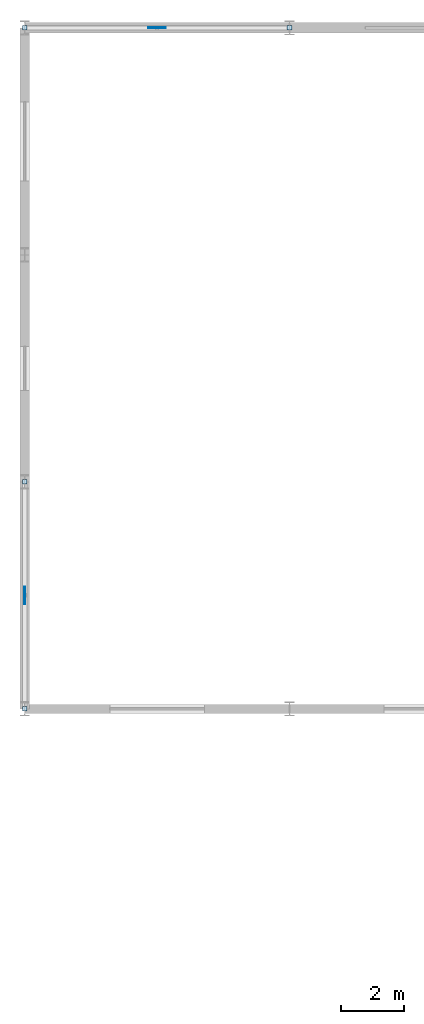
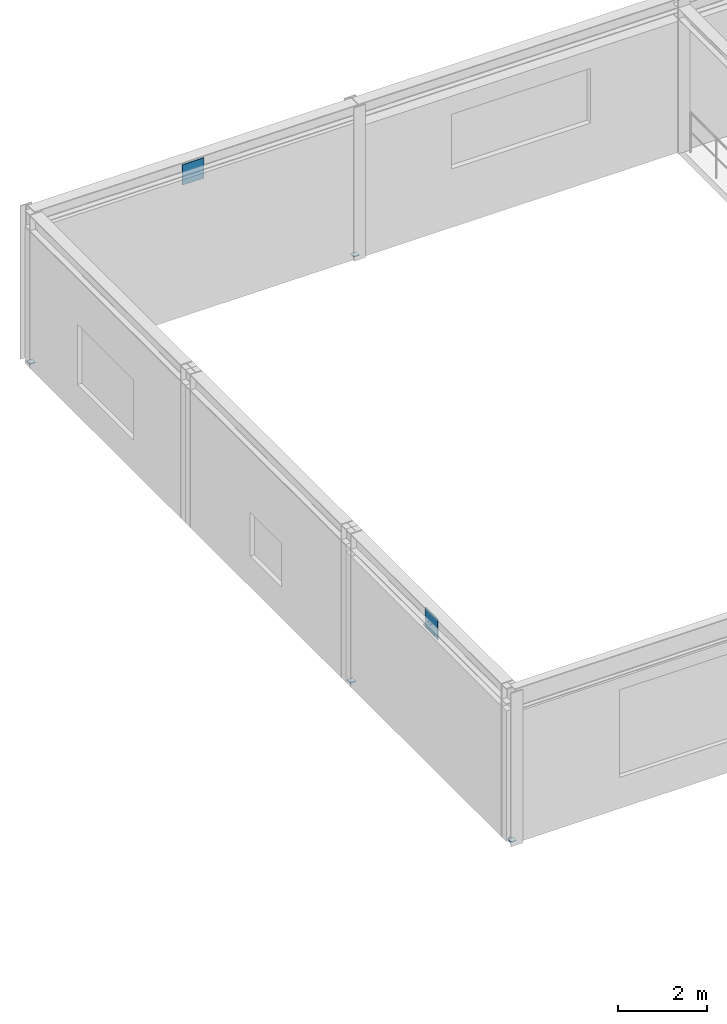
# One storey, part 57 of 73: 6 plates.
"""IFC4 building model written with IfcOpenShell, lengths in metres."""

from ifc_helpers import new_model, si_unit, derived_unit, direction, frame, origin, origin_2d, place, context, subcontext, project, spatial, rectangle, extrude, material, layer, layer_set, type_object, element, save


model = new_model("IFC4")

# Units and contexts
model_context = context("Model", 3, precision=1e-05, world=origin(), true_north=direction((0.0, 1.0)))
body_context = subcontext(model_context, "Body", "Model", "MODEL_VIEW")
ifc_project = project(units=[si_unit("LENGTHUNIT", "METRE"), si_unit("AREAUNIT", "SQUARE_METRE"), si_unit("VOLUMEUNIT", "CUBIC_METRE"), si_unit("PLANEANGLEUNIT", "RADIAN"), si_unit("MASSUNIT", "GRAM", prefix="KILO"), derived_unit("THERMALTRANSMITTANCEUNIT", [(si_unit("MASSUNIT", "GRAM", prefix="KILO"), 1), (si_unit("TIMEUNIT", "SECOND"), -3), (si_unit("THERMODYNAMICTEMPERATUREUNIT", "KELVIN"), -1)])], contexts=[model_context])

# Site, building, storey
site_placement = place(None, origin())
site = spatial("IfcSite", under=ifc_project, at=site_placement, CompositionType="ELEMENT")
building_placement = place(site_placement, origin())
building = spatial("IfcBuilding", under=site, at=building_placement, Name="Kharveza Railside Sports Centre", CompositionType="ELEMENT")
storey_placement = place(building_placement, frame((0.0, 0.0, 8.699951171875)))
storey = spatial("IfcBuildingStorey", under=building, at=storey_placement, Name="L02", CompositionType="ELEMENT", Elevation=8.699951171875)

# Plates
ifc_material = material(Name="Steel S355J2", Category="steel")
ifc_layer_1 = layer(ifc_material, 0.02001953125, Name="Steel S355J2")
ifc_layer_set_1 = layer_set([ifc_layer_1], Name="Steel S355J2")
plate_type_1 = type_object("IfcPlateType", Name="PL-EC11", PredefinedType="USERDEFINED", material=ifc_layer_set_1)
for number, where, z_axis, x_axis, name in (
    (1, (0.0, 108.0, -0.010009765625), (0.0, 0.0, 1.0), (1.0, 0.0, 0.0), "PLT-EC-164"),
    (2, (8.39990234375, 108.0, -0.010009765625), (0.0, 0.0, 1.0), (1.0, 0.0, 0.0), "PLT-EC-165"),
    (3, (0.0, 86.39990234375, -0.010009765625), (0.0, 0.0, 1.0), (1.0, 0.0, 0.0), "PLT-EC-184"),
    (4, (0.0, 93.60009765625, -0.010009765625), (0.0, 0.0, 1.0), (1.0, 0.0, 0.0), "PLT-EC-185"),
):
    element("IfcPlate", number, at=place(storey_placement, frame(where, z_axis=z_axis, x_axis=x_axis)), inside=storey, type_object=plate_type_1, Name=name, ObjectType="END_CAP_PLATE", PredefinedType="USERDEFINED", context=body_context, shape_type="SweptSolid", body=[
        extrude(rectangle(XDim=0.14990234375, YDim=0.14990234375, at=origin_2d()), origin(), (0.0, 0.0, 1.0), 0.02001953125),
    ])
ifc_layer_2 = layer(ifc_material, 0.028076171875, Name="Steel S355J2")
ifc_layer_set_2 = layer_set([ifc_layer_2], Name="Steel S355J2")
plate_type_2 = type_object("IfcPlateType", Name="PL-GS05", PredefinedType="USERDEFINED", material=ifc_layer_set_2)
plate_1_placement = place(storey_placement, frame((4.199951171875, 108.0, 3.469970703125), z_axis=(0.0, 0.0, 1.0), x_axis=(1.0, 0.0, 0.0)))
element("IfcPlate", 5, at=plate_1_placement, inside=storey, type_object=plate_type_2, Name="PLT-GS-CHEV-012", ObjectType="GUSSET_PLATE", PredefinedType="USERDEFINED", context=body_context, shape_type="SweptSolid", body=[
    extrude(rectangle(XDim=0.56005859375, YDim=0.028076171875, at=origin_2d()), origin(), (0.0, 0.0, 1.0), 0.56005859375),
])
plate_2_placement = place(storey_placement, frame((0.0, 90.0, 3.469970703125), z_axis=(0.0, 0.0, 1.0), x_axis=(1.0, 0.0, 0.0)))
element("IfcPlate", 6, at=plate_2_placement, inside=storey, type_object=plate_type_2, Name="PLT-GS-CHEVN-025", ObjectType="GUSSET_PLATE", PredefinedType="USERDEFINED", context=body_context, shape_type="SweptSolid", body=[
    extrude(rectangle(XDim=0.028076171875, YDim=0.56005859375, at=origin_2d()), origin(), (0.0, 0.0, 1.0), 0.56005859375),
])

save(model, "model.ifc")
